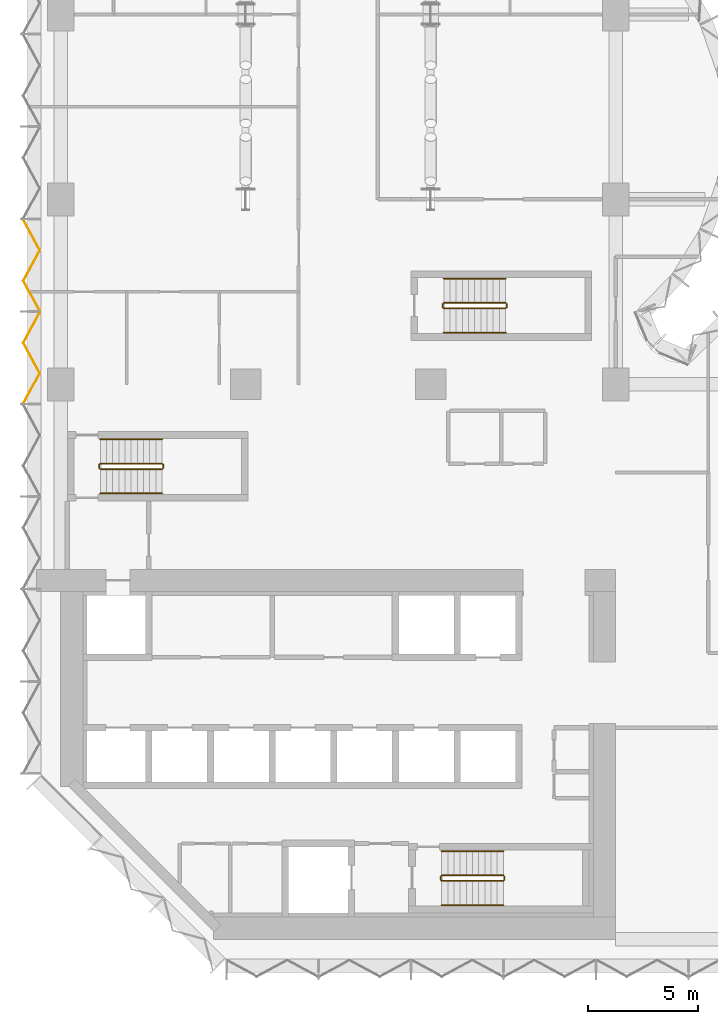
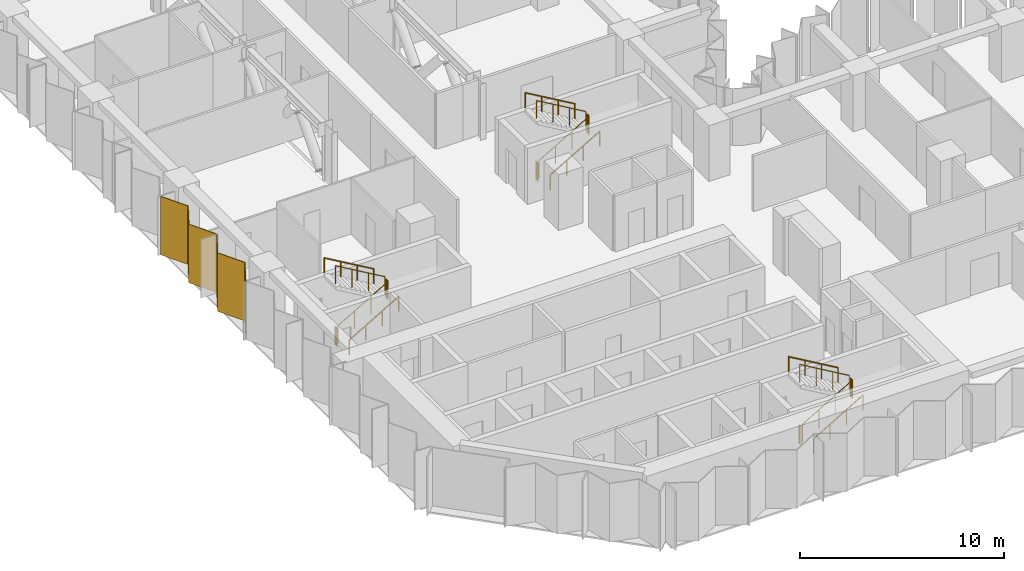
# One storey, part 16 of 18: 18 railings, 2 coverings, 1 element without a shape of its own.
"""IFC4 building model written with IfcOpenShell, lengths in metres."""

import ifcopenshell
import ifcopenshell.guid

model = None  # the IFC model being written
_history = None  # IfcOwnerHistory: only IFC2X3 demands one
_inside = {}  # id of a spatial element -> (the spatial element, [elements in it])
_under = {}  # id of a project, library or spatial element -> (it, [spatial elements below it])
_declared = {}  # id of a project -> (the project, [libraries it declares])
_typed = {}  # id of a type object -> (the type object, [elements of that type])
_made_of = {}  # id of a material, layer set ... -> (it, [elements and type objects made of it])


def new_model(schema):
    """Start an empty IFC model of exactly this schema.

    Asked for "IFC4X3", IfcOpenShell would pick the latest addendum, in which some entities
    have other attributes; the version numbers below select the first issue.
    IFC2X3 requires an IfcOwnerHistory on every rooted entity: one is made here for all.
    """
    global model, _history
    if schema == "IFC4X3":
        model = ifcopenshell.file(schema_version=(4, 3, 0, 0))
    else:
        model = ifcopenshell.file(schema=schema)
    _inside.clear()
    _under.clear()
    _declared.clear()
    _typed.clear()
    _made_of.clear()
    _history = None
    if model.schema == "IFC2X3":
        org = make("IfcOrganization", Name="unknown")
        user = make(
            "IfcPersonAndOrganization",
            ThePerson=make("IfcPerson", FamilyName="unknown"),
            TheOrganization=org,
        )
        app = make(
            "IfcApplication",
            ApplicationDeveloper=org,
            Version="unknown",
            ApplicationFullName="unknown",
            ApplicationIdentifier="unknown",
        )
        _history = make(
            "IfcOwnerHistory",
            OwningUser=user,
            OwningApplication=app,
            ChangeAction="ADDED",
            CreationDate=0,
        )
    return model


def make(cls, **values):
    """One entity of the class cls with the attributes given. An attribute that is None is left unset."""
    return model.create_entity(
        cls, **{name: value for name, value in values.items() if value is not None}
    )


def rooted(cls, **values):
    """An entity with a GlobalId (a new one), such as an element, a storey or a relation."""
    return make(cls, GlobalId=ifcopenshell.guid.new(), OwnerHistory=_history, **values)


def si_unit(unit_type, name, prefix=None):
    """IfcSIUnit, for example si_unit("LENGTHUNIT", "METRE", prefix="MILLI")."""
    return make("IfcSIUnit", UnitType=unit_type, Prefix=prefix, Name=name)


def assignment(units):
    """IfcUnitAssignment: the units of a project."""
    return None if units is None else make("IfcUnitAssignment", Units=units)


def point(xyz):
    """IfcCartesianPoint."""
    return None if xyz is None else make("IfcCartesianPoint", Coordinates=xyz)


def direction(xyz):
    """IfcDirection."""
    return None if xyz is None else make("IfcDirection", DirectionRatios=xyz)


def frame(location, z_axis=None, x_axis=None):
    """IfcAxis2Placement3D, a coordinate frame: its origin and axes. An axis left out is left unset."""
    return make(
        "IfcAxis2Placement3D",
        Location=point(location),
        Axis=direction(z_axis),
        RefDirection=direction(x_axis),
    )


def frame_2d(location, x_axis=None):
    """IfcAxis2Placement2D, a coordinate frame in the plane: its origin and x axis."""
    return make(
        "IfcAxis2Placement2D", Location=point(location), RefDirection=direction(x_axis)
    )


def origin():
    """The frame at (0, 0, 0) with its axes left unset."""
    return frame((0.0, 0.0, 0.0))


def origin_2d():
    """The frame at (0, 0) in the plane with its x axis left unset."""
    return frame_2d((0.0, 0.0))


def place(relative_to, where):
    """IfcLocalPlacement: puts the frame where relative to a parent placement (None: the world)."""
    return make(
        "IfcLocalPlacement", PlacementRelTo=relative_to, RelativePlacement=where
    )


def context(
    kind, dimensions, precision=None, world=None, true_north=None, identifier=None
):
    """IfcGeometricRepresentationContext, for example the 3D "Model" context."""
    return make(
        "IfcGeometricRepresentationContext",
        ContextIdentifier=identifier,
        ContextType=kind,
        CoordinateSpaceDimension=dimensions,
        Precision=precision,
        WorldCoordinateSystem=world,
        TrueNorth=true_north,
    )


def subcontext(parent, identifier, kind, view, scale=None):
    """IfcGeometricRepresentationSubContext, for example "Body" below "Model"."""
    return make(
        "IfcGeometricRepresentationSubContext",
        ContextIdentifier=identifier,
        ContextType=kind,
        ParentContext=parent,
        TargetScale=scale,
        TargetView=view,
    )


def project(units=None, contexts=None):
    """IfcProject with its units and contexts."""
    return rooted(
        "IfcProject",
        Name="project",
        RepresentationContexts=contexts,
        UnitsInContext=assignment(units),
    )


def spatial(cls, under=None, at=None, **own):
    """A site, building, storey or space (cls), placed at a placement, below another one or the project."""
    s = rooted(cls, ObjectPlacement=at, **own)
    if under is not None:
        _under.setdefault(under.id(), (under, []))[1].append(s)
    return s


def polyline(points):
    """IfcPolyline through the points."""
    return make("IfcPolyline", Points=[point(p) for p in points])


def profile(cls, at=None, kind="AREA", **sizes):
    """A parametric profile (cls). Its sizes go by their IFC names, for example OverallWidth=200.0."""
    return make(cls, ProfileType=kind, Position=at, **sizes)


def circle(**sizes):
    """IfcCircleProfileDef."""
    return profile("IfcCircleProfileDef", **sizes)


def outline(outer, holes=None, kind="AREA"):
    """IfcArbitraryClosedProfileDef: a profile drawn as a closed curve; with holes, ...WithVoids."""
    if holes is None:
        return make("IfcArbitraryClosedProfileDef", ProfileType=kind, OuterCurve=outer)
    return make(
        "IfcArbitraryProfileDefWithVoids",
        ProfileType=kind,
        OuterCurve=outer,
        InnerCurves=holes,
    )


def extrude(swept, where, along, depth):
    """IfcExtrudedAreaSolid: the profile swept, set in the frame where, extruded along a direction by depth."""
    return make(
        "IfcExtrudedAreaSolid",
        SweptArea=swept,
        Position=where,
        ExtrudedDirection=direction(along),
        Depth=depth,
    )


def shape(context_of_items, identifier, shape_type, items):
    """IfcShapeRepresentation: the items that make up one representation, for example the "Body"."""
    return make(
        "IfcShapeRepresentation",
        ContextOfItems=context_of_items,
        RepresentationIdentifier=identifier,
        RepresentationType=shape_type,
        Items=items,
    )


def material(Name=None, Category=None):
    """IfcMaterial."""
    return make("IfcMaterial", Name=Name, Category=Category)


def layer(
    of_material, thickness, ventilated=None, Name=None, Category=None, Priority=None
):
    """IfcMaterialLayer: one layer of a wall or slab, of a material (None: an air gap)."""
    return make(
        "IfcMaterialLayer",
        Material=of_material,
        LayerThickness=thickness,
        IsVentilated=ventilated,
        Name=Name,
        Category=Category,
        Priority=Priority,
    )


def layer_set(layers, Name=None):
    """IfcMaterialLayerSet."""
    return make("IfcMaterialLayerSet", MaterialLayers=layers, LayerSetName=Name)


def made_of(thing, what):
    """Note that an element or type object is made of a material, layer set ...; save() writes the relation."""
    if what is not None:
        _made_of.setdefault(what.id(), (what, []))[1].append(thing)
    return thing


def type_object(cls, material=None, **own):
    """A type object (cls), such as IfcWallType, which elements share."""
    return made_of(rooted(cls, **own), material)


def element(
    cls,
    number,
    at=None,
    inside=None,
    cuts=None,
    type_object=None,
    material=None,
    context=None,
    identifier="Body",
    shape_type=None,
    held_by="IfcProductDefinitionShape",
    body=None,
    shapes=None,
    **own,
):
    """One element of the class cls, such as IfcWall. Its Tag is "e" and its number.

    at: its placement. inside: the storey or other place that contains it. cuts: it is an
    opening in that element (IfcRelVoidsElement). A single representation is given by context,
    identifier, shape_type and body (its items); several are given by shapes. held_by: the class
    of the entity that holds the representations. save() writes the other relations.
    """
    e = rooted(cls, Tag="e%d" % number, ObjectPlacement=at, **own)
    if body is not None:
        shapes = [shape(context, identifier, shape_type, body)]
    if shapes is not None:
        e.Representation = make(held_by, Representations=shapes)
    if inside is not None:
        _inside.setdefault(inside.id(), (inside, []))[1].append(e)
    if cuts is not None:
        rooted(
            "IfcRelVoidsElement", RelatingBuildingElement=cuts, RelatedOpeningElement=e
        )
    if type_object is not None:
        _typed.setdefault(type_object.id(), (type_object, []))[1].append(e)
    return made_of(e, material)


def aggregate(whole, parts):
    """IfcRelAggregates: a whole, such as a stair, and the parts it consists of."""
    return rooted("IfcRelAggregates", RelatingObject=whole, RelatedObjects=parts)


def save(model, path):
    """Write the relations noted so far, then the file.

    IfcRelAggregates (storeys below a building ...), IfcRelContainedInSpatialStructure (elements
    in a storey), IfcRelDefinesByType, IfcRelAssociatesMaterial and IfcRelDeclares: one each for
    every whole, place, type object, material and project.
    """
    for whole, parts in _under.values():
        aggregate(whole, parts)
    for where, things in _inside.values():
        rooted(
            "IfcRelContainedInSpatialStructure",
            RelatedElements=things,
            RelatingStructure=where,
        )
    for kind, things in _typed.values():
        rooted("IfcRelDefinesByType", RelatedObjects=things, RelatingType=kind)
    for what, things in _made_of.values():
        rooted("IfcRelAssociatesMaterial", RelatedObjects=things, RelatingMaterial=what)
    for by, libraries in _declared.values():
        rooted("IfcRelDeclares", RelatingContext=by, RelatedDefinitions=libraries)
    model.write(path)


model = new_model("IFC4")

# Units and contexts
model_context = context("Model", 3, precision=1e-05, world=origin(), true_north=direction((0.0, 1.0)))
body_context = subcontext(model_context, "Body", "Model", "MODEL_VIEW")
ifc_project = project(units=[si_unit("LENGTHUNIT", "METRE"), si_unit("AREAUNIT", "SQUARE_METRE"), si_unit("VOLUMEUNIT", "CUBIC_METRE"), si_unit("PLANEANGLEUNIT", "RADIAN"), si_unit("MASSUNIT", "GRAM", prefix="KILO")], contexts=[model_context])

# Site, building, storey
site_placement = place(None, origin())
site = spatial("IfcSite", under=ifc_project, at=site_placement, CompositionType="ELEMENT")
building_placement = place(site_placement, origin())
building = spatial("IfcBuilding", under=site, at=building_placement, Name="Brevane Broadcast Tower", CompositionType="ELEMENT")
storey_placement = place(building_placement, frame((0.0, 0.0, 40.10009765625)))
storey = spatial("IfcBuildingStorey", under=building, at=storey_placement, Name="L07", CompositionType="ELEMENT", Elevation=40.10009765625)

# Railings
ifc_material_1 = material(Name="Steel S355", Category="steel")
railing_type_1 = type_object("IfcRailingType", Name="Exit stair guard", PredefinedType="GUARDRAIL", material=ifc_material_1)
railing_1_placement = place(storey_placement, frame((1.800048828125, 21.35009765625, 0.16357421875)))
element("IfcRailing", 1, at=railing_1_placement, inside=storey, type_object=railing_type_1, Name="L07 ST-1 stair guard 1", PredefinedType="GUARDRAIL", context=body_context, shape_type="SweptSolid", body=[
    extrude(circle(Radius=0.02392578125, at=origin_2d()), frame((0.0, 0.0, 1.076171875), z_axis=(0.863393664356, 0.0, 0.504530851732), x_axis=(0.0, 1.0, 0.0)), (0.0, 0.0, 1.0), 3.2431640625),
    extrude(circle(Radius=0.02099609375, at=origin_2d()), origin(), (0.0, 0.0, 1.0), 1.052001953125),
    extrude(circle(Radius=0.02099609375, at=origin_2d()), frame((0.933349609375, 0.0, 0.54541015625)), (0.0, 0.0, 1.0), 1.052001953125),
    extrude(circle(Radius=0.02099609375, at=origin_2d()), frame((1.86669921875, 0.0, 1.0908203125)), (0.0, 0.0, 1.0), 1.052001953125),
    extrude(circle(Radius=0.02099609375, at=origin_2d()), frame((2.800048828125, 0.0, 1.63623046875)), (0.0, 0.0, 1.0), 1.052001953125),
])
railing_2_placement = place(storey_placement, frame((4.64990234375, 21.39990234375, 1.7998046875)))
element("IfcRailing", 2, at=railing_2_placement, inside=storey, type_object=railing_type_1, Name="L07 ST-1 stair guard 2", PredefinedType="GUARDRAIL", context=body_context, shape_type="SweptSolid", body=[
    extrude(circle(Radius=0.02392578125, at=origin_2d()), frame((0.0, 0.0, 1.076171875), z_axis=(0.0, 1.0, 0.0), x_axis=(-1.0, 0.0, 0.0)), (0.0, 0.0, 1.0), 0.150146484375),
    extrude(circle(Radius=0.02099609375, at=origin_2d()), origin(), (0.0, 0.0, 1.0), 1.052001953125),
    extrude(circle(Radius=0.02099609375, at=origin_2d()), frame((0.0, 0.150146484375, 0.0)), (0.0, 0.0, 1.0), 1.052001953125),
])
railing_3_placement = place(storey_placement, frame((4.60009765625, 21.60009765625, 1.963623046875)))
element("IfcRailing", 3, at=railing_3_placement, inside=storey, type_object=railing_type_1, Name="L07 ST-1 stair guard 3", PredefinedType="GUARDRAIL", context=body_context, shape_type="SweptSolid", body=[
    extrude(circle(Radius=0.02392578125, at=origin_2d()), frame((0.0, 0.0, 1.076171875), z_axis=(-0.863393664356, 0.0, 0.504530851732), x_axis=(0.0, -1.0, 0.0)), (0.0, 0.0, 1.0), 3.2431640625),
    extrude(circle(Radius=0.02099609375, at=origin_2d()), origin(), (0.0, 0.0, 1.0), 1.052001953125),
    extrude(circle(Radius=0.02099609375, at=origin_2d()), frame((-0.933349609375, 0.0, 0.54541015625)), (0.0, 0.0, 1.0), 1.052001953125),
    extrude(circle(Radius=0.02099609375, at=origin_2d()), frame((-1.86669921875, 0.0, 1.0908203125)), (0.0, 0.0, 1.0), 1.052001953125),
    extrude(circle(Radius=0.02099609375, at=origin_2d()), frame((-2.800048828125, 0.0, 1.63623046875)), (0.0, 0.0, 1.0), 1.052001953125),
])
railing_4_placement = place(storey_placement, frame((1.75, 21.39990234375, 0.0)))
element("IfcRailing", 4, at=railing_4_placement, inside=storey, type_object=railing_type_1, Name="L07 ST-1 stair guard 4", PredefinedType="GUARDRAIL", context=body_context, shape_type="SweptSolid", body=[
    extrude(circle(Radius=0.02392578125, at=origin_2d()), frame((0.0, 0.0, 1.076171875), z_axis=(0.0, 1.0, 0.0), x_axis=(-1.0, 0.0, 0.0)), (0.0, 0.0, 1.0), 0.150146484375),
    extrude(circle(Radius=0.02099609375, at=origin_2d()), origin(), (0.0, 0.0, 1.0), 1.052001953125),
    extrude(circle(Radius=0.02099609375, at=origin_2d()), frame((0.0, 0.150146484375, 0.0)), (0.0, 0.0, 1.0), 1.052001953125),
])
railing_5_placement = place(storey_placement, frame((17.300048828125, 2.64990234375, 0.16357421875)))
element("IfcRailing", 5, at=railing_5_placement, inside=storey, type_object=railing_type_1, Name="L07 ST-2 stair guard 1", PredefinedType="GUARDRAIL", context=body_context, shape_type="SweptSolid", body=[
    extrude(circle(Radius=0.02392578125, at=origin_2d()), frame((0.0, 0.0, 1.076171875), z_axis=(0.863393664356, 0.0, 0.504530851732), x_axis=(0.0, 1.0, 0.0)), (0.0, 0.0, 1.0), 3.2431640625),
    extrude(circle(Radius=0.02099609375, at=origin_2d()), origin(), (0.0, 0.0, 1.0), 1.052001953125),
    extrude(circle(Radius=0.02099609375, at=origin_2d()), frame((0.933349609375, 0.0, 0.54541015625)), (0.0, 0.0, 1.0), 1.052001953125),
    extrude(circle(Radius=0.02099609375, at=origin_2d()), frame((1.86669921875, 0.0, 1.0908203125)), (0.0, 0.0, 1.0), 1.052001953125),
    extrude(circle(Radius=0.02099609375, at=origin_2d()), frame((2.800048828125, 0.0, 1.63623046875)), (0.0, 0.0, 1.0), 1.052001953125),
])
railing_6_placement = place(storey_placement, frame((20.14990234375, 2.699951171875, 1.7998046875)))
element("IfcRailing", 6, at=railing_6_placement, inside=storey, type_object=railing_type_1, Name="L07 ST-2 stair guard 2", PredefinedType="GUARDRAIL", context=body_context, shape_type="SweptSolid", body=[
    extrude(circle(Radius=0.02392578125, at=origin_2d()), frame((0.0, 0.0, 1.076171875), z_axis=(0.0, 1.0, 0.0), x_axis=(-1.0, 0.0, 0.0)), (0.0, 0.0, 1.0), 0.150146484375),
    extrude(circle(Radius=0.02099609375, at=origin_2d()), origin(), (0.0, 0.0, 1.0), 1.052001953125),
    extrude(circle(Radius=0.02099609375, at=origin_2d()), frame((0.0, 0.150146484375, 0.0)), (0.0, 0.0, 1.0), 1.052001953125),
])
railing_7_placement = place(storey_placement, frame((20.10009765625, 2.89990234375, 1.963623046875)))
element("IfcRailing", 7, at=railing_7_placement, inside=storey, type_object=railing_type_1, Name="L07 ST-2 stair guard 3", PredefinedType="GUARDRAIL", context=body_context, shape_type="SweptSolid", body=[
    extrude(circle(Radius=0.02392578125, at=origin_2d()), frame((0.0, 0.0, 1.076171875), z_axis=(-0.863393664356, 0.0, 0.504530851732), x_axis=(0.0, -1.0, 0.0)), (0.0, 0.0, 1.0), 3.2431640625),
    extrude(circle(Radius=0.02099609375, at=origin_2d()), origin(), (0.0, 0.0, 1.0), 1.052001953125),
    extrude(circle(Radius=0.02099609375, at=origin_2d()), frame((-0.933349609375, 0.0, 0.54541015625)), (0.0, 0.0, 1.0), 1.052001953125),
    extrude(circle(Radius=0.02099609375, at=origin_2d()), frame((-1.86669921875, 0.0, 1.0908203125)), (0.0, 0.0, 1.0), 1.052001953125),
    extrude(circle(Radius=0.02099609375, at=origin_2d()), frame((-2.800048828125, 0.0, 1.63623046875)), (0.0, 0.0, 1.0), 1.052001953125),
])
railing_8_placement = place(storey_placement, frame((17.25, 2.699951171875, 0.0)))
element("IfcRailing", 8, at=railing_8_placement, inside=storey, type_object=railing_type_1, Name="L07 ST-2 stair guard 4", PredefinedType="GUARDRAIL", context=body_context, shape_type="SweptSolid", body=[
    extrude(circle(Radius=0.02392578125, at=origin_2d()), frame((0.0, 0.0, 1.076171875), z_axis=(0.0, 1.0, 0.0), x_axis=(-1.0, 0.0, 0.0)), (0.0, 0.0, 1.0), 0.150146484375),
    extrude(circle(Radius=0.02099609375, at=origin_2d()), origin(), (0.0, 0.0, 1.0), 1.052001953125),
    extrude(circle(Radius=0.02099609375, at=origin_2d()), frame((0.0, 0.150146484375, 0.0)), (0.0, 0.0, 1.0), 1.052001953125),
])
railing_9_placement = place(storey_placement, frame((17.39990234375, 28.64990234375, 0.16357421875)))
element("IfcRailing", 9, at=railing_9_placement, inside=storey, type_object=railing_type_1, Name="L07 ST-3 stair guard 1", PredefinedType="GUARDRAIL", context=body_context, shape_type="SweptSolid", body=[
    extrude(circle(Radius=0.02392578125, at=origin_2d()), frame((0.0, 0.0, 1.076171875), z_axis=(0.863393664356, 0.0, 0.504530851732), x_axis=(0.0, 1.0, 0.0)), (0.0, 0.0, 1.0), 3.2431640625),
    extrude(circle(Radius=0.02099609375, at=origin_2d()), origin(), (0.0, 0.0, 1.0), 1.052001953125),
    extrude(circle(Radius=0.02099609375, at=origin_2d()), frame((0.933349609375, 0.0, 0.54541015625)), (0.0, 0.0, 1.0), 1.052001953125),
    extrude(circle(Radius=0.02099609375, at=origin_2d()), frame((1.86669921875, 0.0, 1.0908203125)), (0.0, 0.0, 1.0), 1.052001953125),
    extrude(circle(Radius=0.02099609375, at=origin_2d()), frame((2.800048828125, 0.0, 1.63623046875)), (0.0, 0.0, 1.0), 1.052001953125),
])
railing_10_placement = place(storey_placement, frame((20.25, 28.699951171875, 1.7998046875)))
element("IfcRailing", 10, at=railing_10_placement, inside=storey, type_object=railing_type_1, Name="L07 ST-3 stair guard 2", PredefinedType="GUARDRAIL", context=body_context, shape_type="SweptSolid", body=[
    extrude(circle(Radius=0.02392578125, at=origin_2d()), frame((0.0, 0.0, 1.076171875), z_axis=(0.0, 1.0, 0.0), x_axis=(-1.0, 0.0, 0.0)), (0.0, 0.0, 1.0), 0.150146484375),
    extrude(circle(Radius=0.02099609375, at=origin_2d()), origin(), (0.0, 0.0, 1.0), 1.052001953125),
    extrude(circle(Radius=0.02099609375, at=origin_2d()), frame((0.0, 0.150146484375, 0.0)), (0.0, 0.0, 1.0), 1.052001953125),
])
railing_11_placement = place(storey_placement, frame((20.199951171875, 28.89990234375, 1.963623046875)))
element("IfcRailing", 11, at=railing_11_placement, inside=storey, type_object=railing_type_1, Name="L07 ST-3 stair guard 3", PredefinedType="GUARDRAIL", context=body_context, shape_type="SweptSolid", body=[
    extrude(circle(Radius=0.02392578125, at=origin_2d()), frame((0.0, 0.0, 1.076171875), z_axis=(-0.863393664356, 0.0, 0.504530851732), x_axis=(0.0, -1.0, 0.0)), (0.0, 0.0, 1.0), 3.2431640625),
    extrude(circle(Radius=0.02099609375, at=origin_2d()), origin(), (0.0, 0.0, 1.0), 1.052001953125),
    extrude(circle(Radius=0.02099609375, at=origin_2d()), frame((-0.933349609375, 0.0, 0.54541015625)), (0.0, 0.0, 1.0), 1.052001953125),
    extrude(circle(Radius=0.02099609375, at=origin_2d()), frame((-1.86669921875, 0.0, 1.0908203125)), (0.0, 0.0, 1.0), 1.052001953125),
    extrude(circle(Radius=0.02099609375, at=origin_2d()), frame((-2.800048828125, 0.0, 1.63623046875)), (0.0, 0.0, 1.0), 1.052001953125),
])
railing_12_placement = place(storey_placement, frame((17.35009765625, 28.699951171875, 0.0)))
element("IfcRailing", 12, at=railing_12_placement, inside=storey, type_object=railing_type_1, Name="L07 ST-3 stair guard 4", PredefinedType="GUARDRAIL", context=body_context, shape_type="SweptSolid", body=[
    extrude(circle(Radius=0.02392578125, at=origin_2d()), frame((0.0, 0.0, 1.076171875), z_axis=(0.0, 1.0, 0.0), x_axis=(-1.0, 0.0, 0.0)), (0.0, 0.0, 1.0), 0.150146484375),
    extrude(circle(Radius=0.02099609375, at=origin_2d()), origin(), (0.0, 0.0, 1.0), 1.052001953125),
    extrude(circle(Radius=0.02099609375, at=origin_2d()), frame((0.0, 0.150146484375, 0.0)), (0.0, 0.0, 1.0), 1.052001953125),
])
railing_type_2 = type_object("IfcRailingType", Name="Exit stair handrail", PredefinedType="HANDRAIL", material=ifc_material_1)
railing_13_placement = place(storey_placement, frame((1.800048828125, 20.25, 0.16357421875)))
element("IfcRailing", 13, at=railing_13_placement, inside=storey, type_object=railing_type_2, Name="L07 ST-1 stair handrail 1", PredefinedType="HANDRAIL", context=body_context, shape_type="SweptSolid", body=[
    extrude(circle(Radius=0.02392578125, at=origin_2d()), frame((0.0, 0.0, 0.8759765625), z_axis=(0.863393664356, 0.0, 0.504530851732), x_axis=(0.0, 1.0, 0.0)), (0.0, 0.0, 1.0), 3.2431640625),
    extrude(circle(Radius=0.02099609375, at=origin_2d()), origin(), (0.0, 0.0, 1.0), 0.851806640625),
    extrude(circle(Radius=0.02099609375, at=origin_2d()), frame((0.933349609375, 0.0, 0.54541015625)), (0.0, 0.0, 1.0), 0.851806640625),
    extrude(circle(Radius=0.02099609375, at=origin_2d()), frame((1.86669921875, 0.0, 1.0908203125)), (0.0, 0.0, 1.0), 0.851806640625),
    extrude(circle(Radius=0.02099609375, at=origin_2d()), frame((2.800048828125, 0.0, 1.63623046875)), (0.0, 0.0, 1.0), 0.851806640625),
])
railing_14_placement = place(storey_placement, frame((4.60009765625, 22.699951171875, 1.963623046875)))
element("IfcRailing", 14, at=railing_14_placement, inside=storey, type_object=railing_type_2, Name="L07 ST-1 stair handrail 2", PredefinedType="HANDRAIL", context=body_context, shape_type="SweptSolid", body=[
    extrude(circle(Radius=0.02392578125, at=origin_2d()), frame((0.0, 0.0, 0.8759765625), z_axis=(-0.863393664356, 0.0, 0.504530851732), x_axis=(0.0, -1.0, 0.0)), (0.0, 0.0, 1.0), 3.2431640625),
    extrude(circle(Radius=0.02099609375, at=origin_2d()), origin(), (0.0, 0.0, 1.0), 0.851806640625),
    extrude(circle(Radius=0.02099609375, at=origin_2d()), frame((-0.933349609375, 0.0, 0.54541015625)), (0.0, 0.0, 1.0), 0.851806640625),
    extrude(circle(Radius=0.02099609375, at=origin_2d()), frame((-1.86669921875, 0.0, 1.0908203125)), (0.0, 0.0, 1.0), 0.851806640625),
    extrude(circle(Radius=0.02099609375, at=origin_2d()), frame((-2.800048828125, 0.0, 1.63623046875)), (0.0, 0.0, 1.0), 0.851806640625),
])
railing_15_placement = place(storey_placement, frame((17.300048828125, 1.550048828125, 0.16357421875)))
element("IfcRailing", 15, at=railing_15_placement, inside=storey, type_object=railing_type_2, Name="L07 ST-2 stair handrail 1", PredefinedType="HANDRAIL", context=body_context, shape_type="SweptSolid", body=[
    extrude(circle(Radius=0.02392578125, at=origin_2d()), frame((0.0, 0.0, 0.8759765625), z_axis=(0.863393664356, 0.0, 0.504530851732), x_axis=(0.0, 1.0, 0.0)), (0.0, 0.0, 1.0), 3.2431640625),
    extrude(circle(Radius=0.02099609375, at=origin_2d()), origin(), (0.0, 0.0, 1.0), 0.851806640625),
    extrude(circle(Radius=0.02099609375, at=origin_2d()), frame((0.933349609375, 0.0, 0.54541015625)), (0.0, 0.0, 1.0), 0.851806640625),
    extrude(circle(Radius=0.02099609375, at=origin_2d()), frame((1.86669921875, 0.0, 1.0908203125)), (0.0, 0.0, 1.0), 0.851806640625),
    extrude(circle(Radius=0.02099609375, at=origin_2d()), frame((2.800048828125, 0.0, 1.63623046875)), (0.0, 0.0, 1.0), 0.851806640625),
])
railing_16_placement = place(storey_placement, frame((20.10009765625, 4.0, 1.963623046875)))
element("IfcRailing", 16, at=railing_16_placement, inside=storey, type_object=railing_type_2, Name="L07 ST-2 stair handrail 2", PredefinedType="HANDRAIL", context=body_context, shape_type="SweptSolid", body=[
    extrude(circle(Radius=0.02392578125, at=origin_2d()), frame((0.0, 0.0, 0.8759765625), z_axis=(-0.863393664356, 0.0, 0.504530851732), x_axis=(0.0, -1.0, 0.0)), (0.0, 0.0, 1.0), 3.2431640625),
    extrude(circle(Radius=0.02099609375, at=origin_2d()), origin(), (0.0, 0.0, 1.0), 0.851806640625),
    extrude(circle(Radius=0.02099609375, at=origin_2d()), frame((-0.933349609375, 0.0, 0.54541015625)), (0.0, 0.0, 1.0), 0.851806640625),
    extrude(circle(Radius=0.02099609375, at=origin_2d()), frame((-1.86669921875, 0.0, 1.0908203125)), (0.0, 0.0, 1.0), 0.851806640625),
    extrude(circle(Radius=0.02099609375, at=origin_2d()), frame((-2.800048828125, 0.0, 1.63623046875)), (0.0, 0.0, 1.0), 0.851806640625),
])
railing_17_placement = place(storey_placement, frame((17.39990234375, 27.550048828125, 0.16357421875)))
element("IfcRailing", 17, at=railing_17_placement, inside=storey, type_object=railing_type_2, Name="L07 ST-3 stair handrail 1", PredefinedType="HANDRAIL", context=body_context, shape_type="SweptSolid", body=[
    extrude(circle(Radius=0.02392578125, at=origin_2d()), frame((0.0, 0.0, 0.8759765625), z_axis=(0.863393664356, 0.0, 0.504530851732), x_axis=(0.0, 1.0, 0.0)), (0.0, 0.0, 1.0), 3.2431640625),
    extrude(circle(Radius=0.02099609375, at=origin_2d()), origin(), (0.0, 0.0, 1.0), 0.851806640625),
    extrude(circle(Radius=0.02099609375, at=origin_2d()), frame((0.933349609375, 0.0, 0.54541015625)), (0.0, 0.0, 1.0), 0.851806640625),
    extrude(circle(Radius=0.02099609375, at=origin_2d()), frame((1.86669921875, 0.0, 1.0908203125)), (0.0, 0.0, 1.0), 0.851806640625),
    extrude(circle(Radius=0.02099609375, at=origin_2d()), frame((2.800048828125, 0.0, 1.63623046875)), (0.0, 0.0, 1.0), 0.851806640625),
])
railing_18_placement = place(storey_placement, frame((20.199951171875, 30.0, 1.963623046875)))
element("IfcRailing", 18, at=railing_18_placement, inside=storey, type_object=railing_type_2, Name="L07 ST-3 stair handrail 2", PredefinedType="HANDRAIL", context=body_context, shape_type="SweptSolid", body=[
    extrude(circle(Radius=0.02392578125, at=origin_2d()), frame((0.0, 0.0, 0.8759765625), z_axis=(-0.863393664356, 0.0, 0.504530851732), x_axis=(0.0, -1.0, 0.0)), (0.0, 0.0, 1.0), 3.2431640625),
    extrude(circle(Radius=0.02099609375, at=origin_2d()), origin(), (0.0, 0.0, 1.0), 0.851806640625),
    extrude(circle(Radius=0.02099609375, at=origin_2d()), frame((-0.933349609375, 0.0, 0.54541015625)), (0.0, 0.0, 1.0), 0.851806640625),
    extrude(circle(Radius=0.02099609375, at=origin_2d()), frame((-1.86669921875, 0.0, 1.0908203125)), (0.0, 0.0, 1.0), 0.851806640625),
    extrude(circle(Radius=0.02099609375, at=origin_2d()), frame((-2.800048828125, 0.0, 1.63623046875)), (0.0, 0.0, 1.0), 0.851806640625),
])

# Curtain wall, coverings
ifc_material_2 = material(Name="Aluminium 6063-T6 bronze anodised", Category="aluminium")
curtain_wall_type = type_object("IfcCurtainWallType", Name="CW-1 curtain wall", PredefinedType="NOTDEFINED", material=ifc_material_2)
curtain_wall_placement = place(storey_placement, origin())
curtain_wall = element("IfcCurtainWall", 19, at=curtain_wall_placement, inside=storey, type_object=curtain_wall_type, Name="CW-1 typical tilted unit L07 west face", PredefinedType="NOTDEFINED")
ifc_material_3 = material(Name="Back-painted bronze glass shadow-box", Category="glass")
ifc_layer = layer(ifc_material_3, 0.0400390625)
ifc_layer_set = layer_set([ifc_layer], Name="Shadow-box panel 40")
covering_type = type_object("IfcCoveringType", Name="Shadow-box panel 40", PredefinedType="CLADDING", material=ifc_layer_set)
covering_1_placement = place(storey_placement, frame((0.0, 0.0, -0.150146484375)))
covering_1 = element("IfcCovering", 20, at=covering_1_placement, type_object=covering_type, Name="Shadow-box panel", PredefinedType="CLADDING", context=body_context, shape_type="SweptSolid", body=[
    extrude(outline(polyline([(-1.671630859375, 32.6650390625), (-1.717041015625, 32.6650390625), (-0.97265625, 31.288330078125), (-1.717041015625, 29.91162109375), (-0.97265625, 28.534912109375), (-0.92724609375, 28.534912109375), (-1.671630859375, 29.91162109375), (-0.92724609375, 31.288330078125), (-1.671630859375, 32.6650390625)])), origin(), (0.0, 0.0, 1.0), 3.5),
])
covering_2_placement = place(storey_placement, frame((0.0, 0.0, -0.150146484375)))
covering_2 = element("IfcCovering", 21, at=covering_2_placement, type_object=covering_type, Name="Shadow-box panel", PredefinedType="CLADDING", context=body_context, shape_type="SweptSolid", body=[
    extrude(outline(polyline([(-0.92724609375, 28.465087890625), (-0.97265625, 28.465087890625), (-1.717041015625, 27.08837890625), (-0.97265625, 25.711669921875), (-1.717041015625, 24.3349609375), (-1.671630859375, 24.3349609375), (-0.92724609375, 25.711669921875), (-1.671630859375, 27.08837890625), (-0.92724609375, 28.465087890625)])), origin(), (0.0, 0.0, 1.0), 3.5),
])
aggregate(curtain_wall, [covering_1, covering_2])

save(model, "model.ifc")
